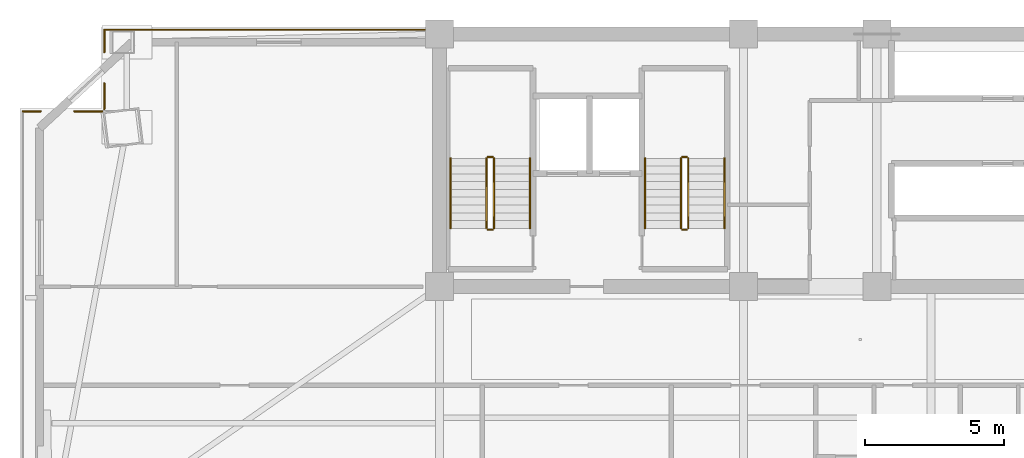
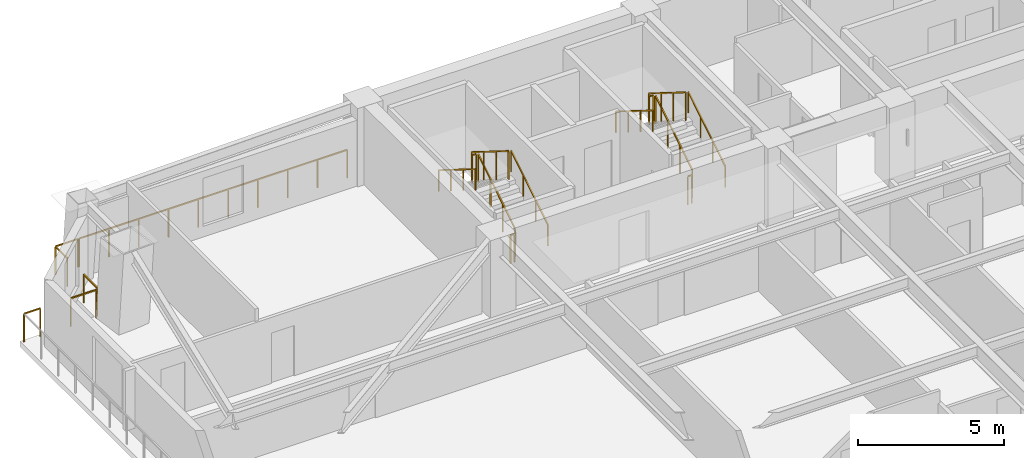
# One storey, part 14 of 15: 18 railings.
"""IFC4 building model written with IfcOpenShell, lengths in metres."""

from ifc_helpers import new_model, si_unit, direction, frame, origin, origin_2d, place, context, subcontext, project, spatial, rectangle, extrude, material, type_object, element, save


model = new_model("IFC4")

# Units and contexts
model_context = context("Model", 3, precision=1e-05, world=origin(), true_north=direction((0.0, 1.0)))
body_context = subcontext(model_context, "Body", "Model", "MODEL_VIEW")
ifc_project = project(units=[si_unit("LENGTHUNIT", "METRE"), si_unit("AREAUNIT", "SQUARE_METRE"), si_unit("VOLUMEUNIT", "CUBIC_METRE"), si_unit("PLANEANGLEUNIT", "RADIAN"), si_unit("MASSUNIT", "GRAM", prefix="KILO")], contexts=[model_context])

# Site, building, storey
site_placement = place(None, origin())
site = spatial("IfcSite", under=ifc_project, at=site_placement, CompositionType="ELEMENT")
building_placement = place(site_placement, origin())
building = spatial("IfcBuilding", under=site, at=building_placement, Name="Giltprow Tower", CompositionType="ELEMENT")
storey_placement = place(building_placement, frame((0.0, 0.0, 156.199951171875)))
storey = spatial("IfcBuildingStorey", under=building, at=storey_placement, Name="L38", CompositionType="ELEMENT", Elevation=156.199951171875)

# Railings
ifc_material = material(Name="Anodized bronze", Category="metal")
railing_type_1 = type_object("IfcRailingType", Name="RAIL-BALC-GUARD-1200", PredefinedType="BALUSTRADE", material=ifc_material)
railing_1_placement = place(storey_placement, frame((4.84912109375, 43.760986328125, 0.0)))
element("IfcRailing", 1, at=railing_1_placement, inside=storey, type_object=railing_type_1, Name="L38 Corner Apron Edge Balustrade 6", PredefinedType="BALUSTRADE", context=body_context, shape_type="SweptSolid", body=[
    extrude(rectangle(XDim=0.048095703125, YDim=0.048095703125, at=origin_2d()), frame((0.0, 0.0, 1.17578125), z_axis=(1.0, 0.0, 0.0), x_axis=(0.0, 1.0, 0.0)), (0.0, 0.0, 1.0), 0.644775390625),
    extrude(rectangle(XDim=0.0419921875, YDim=0.0419921875, at=origin_2d()), origin(), (0.0, 0.0, 1.0), 1.15185546875),
    extrude(rectangle(XDim=0.0419921875, YDim=0.0419921875, at=origin_2d()), frame((0.644775390625, 0.0, 0.0)), (0.0, 0.0, 1.0), 1.15185546875),
])
railing_2_placement = place(storey_placement, frame((6.700927734375, 43.760986328125, 0.0)))
element("IfcRailing", 2, at=railing_2_placement, inside=storey, type_object=railing_type_1, Name="L38 Corner Apron Edge Balustrade 7", PredefinedType="BALUSTRADE", context=body_context, shape_type="SweptSolid", body=[
    extrude(rectangle(XDim=0.048095703125, YDim=0.048095703125, at=origin_2d()), frame((0.0, 0.0, 1.17578125), z_axis=(1.0, 0.0, 0.0), x_axis=(0.0, 1.0, 0.0)), (0.0, 0.0, 1.0), 1.001953125),
    extrude(rectangle(XDim=0.0419921875, YDim=0.0419921875, at=origin_2d()), origin(), (0.0, 0.0, 1.0), 1.15185546875),
    extrude(rectangle(XDim=0.0419921875, YDim=0.0419921875, at=origin_2d()), frame((1.001953125, 0.0, 0.0)), (0.0, 0.0, 1.0), 1.15185546875),
])
railing_3_placement = place(storey_placement, frame((7.7880859375, 43.845947265625, 0.0)))
element("IfcRailing", 3, at=railing_3_placement, inside=storey, type_object=railing_type_1, Name="L38 Corner Apron Edge Balustrade 8", PredefinedType="BALUSTRADE", context=body_context, shape_type="SweptSolid", body=[
    extrude(rectangle(XDim=0.048095703125, YDim=0.048095703125, at=origin_2d()), frame((0.0, 0.0, 1.17578125), z_axis=(0.0, 1.0, 0.0), x_axis=(-1.0, 0.0, 0.0)), (0.0, 0.0, 1.0), 0.920166015625),
    extrude(rectangle(XDim=0.0419921875, YDim=0.0419921875, at=origin_2d()), origin(), (0.0, 0.0, 1.0), 1.15185546875),
    extrude(rectangle(XDim=0.0419921875, YDim=0.0419921875, at=origin_2d()), frame((0.0, 0.920166015625, 0.0)), (0.0, 0.0, 1.0), 1.15185546875),
])
railing_4_placement = place(storey_placement, frame((7.7880859375, 45.883056640625, 0.0)))
element("IfcRailing", 4, at=railing_4_placement, inside=storey, type_object=railing_type_1, Name="L38 Corner Apron Edge Balustrade 9", PredefinedType="BALUSTRADE", context=body_context, shape_type="SweptSolid", body=[
    extrude(rectangle(XDim=0.048095703125, YDim=0.048095703125, at=origin_2d()), frame((0.0, 0.0, 1.17578125), z_axis=(0.0, 1.0, 0.0), x_axis=(-1.0, 0.0, 0.0)), (0.0, 0.0, 1.0), 0.81689453125),
    extrude(rectangle(XDim=0.0419921875, YDim=0.0419921875, at=origin_2d()), origin(), (0.0, 0.0, 1.0), 1.15185546875),
    extrude(rectangle(XDim=0.0419921875, YDim=0.0419921875, at=origin_2d()), frame((0.0, 0.81689453125, 0.0)), (0.0, 0.0, 1.0), 1.15185546875),
])
railing_5_placement = place(storey_placement, frame((7.7880859375, 46.699951171875, 0.0)))
element("IfcRailing", 5, at=railing_5_placement, inside=storey, type_object=railing_type_1, Name="L38 Corner Apron Edge Balustrade 10", PredefinedType="BALUSTRADE", context=body_context, shape_type="SweptSolid", body=[
    extrude(rectangle(XDim=0.048095703125, YDim=0.048095703125, at=origin_2d()), frame((0.0, 0.0, 1.17578125), z_axis=(1.0, 0.0, 0.0), x_axis=(0.0, 1.0, 0.0)), (0.0, 0.0, 1.0), 0.8828125),
    extrude(rectangle(XDim=0.0419921875, YDim=0.0419921875, at=origin_2d()), origin(), (0.0, 0.0, 1.0), 1.15185546875),
    extrude(rectangle(XDim=0.0419921875, YDim=0.0419921875, at=origin_2d()), frame((0.8828125, 0.0, 0.0)), (0.0, 0.0, 1.0), 1.15185546875),
])
railing_6_placement = place(storey_placement, frame((8.72607421875, 46.699951171875, 0.0)))
element("IfcRailing", 6, at=railing_6_placement, inside=storey, type_object=railing_type_1, Name="L38 Corner Apron Edge Balustrade 11", PredefinedType="BALUSTRADE", context=body_context, shape_type="SweptSolid", body=[
    extrude(rectangle(XDim=0.048095703125, YDim=0.048095703125, at=origin_2d()), frame((0.0, 0.0, 1.17578125), z_axis=(1.0, 0.0, 0.0), x_axis=(0.0, 1.0, 0.0)), (0.0, 0.0, 1.0), 10.5888671875),
    extrude(rectangle(XDim=0.0419921875, YDim=0.0419921875, at=origin_2d()), origin(), (0.0, 0.0, 1.0), 1.15185546875),
    extrude(rectangle(XDim=0.0419921875, YDim=0.0419921875, at=origin_2d()), frame((1.176513671875, 0.0, 0.0)), (0.0, 0.0, 1.0), 1.15185546875),
    extrude(rectangle(XDim=0.0419921875, YDim=0.0419921875, at=origin_2d()), frame((2.35302734375, 0.0, 0.0)), (0.0, 0.0, 1.0), 1.15185546875),
    extrude(rectangle(XDim=0.0419921875, YDim=0.0419921875, at=origin_2d()), frame((3.529541015625, 0.0, 0.0)), (0.0, 0.0, 1.0), 1.15185546875),
    extrude(rectangle(XDim=0.0419921875, YDim=0.0419921875, at=origin_2d()), frame((4.7060546875, 0.0, 0.0)), (0.0, 0.0, 1.0), 1.15185546875),
    extrude(rectangle(XDim=0.0419921875, YDim=0.0419921875, at=origin_2d()), frame((5.8828125, 0.0, 0.0)), (0.0, 0.0, 1.0), 1.15185546875),
    extrude(rectangle(XDim=0.0419921875, YDim=0.0419921875, at=origin_2d()), frame((7.059326171875, 0.0, 0.0)), (0.0, 0.0, 1.0), 1.15185546875),
    extrude(rectangle(XDim=0.0419921875, YDim=0.0419921875, at=origin_2d()), frame((8.23583984375, 0.0, 0.0)), (0.0, 0.0, 1.0), 1.15185546875),
    extrude(rectangle(XDim=0.0419921875, YDim=0.0419921875, at=origin_2d()), frame((9.412353515625, 0.0, 0.0)), (0.0, 0.0, 1.0), 1.15185546875),
    extrude(rectangle(XDim=0.0419921875, YDim=0.0419921875, at=origin_2d()), frame((10.5888671875, 0.0, 0.0)), (0.0, 0.0, 1.0), 1.15185546875),
])
railing_type_2 = type_object("IfcRailingType", Name="RAIL-STAIR-GUARD-1200", PredefinedType="GUARDRAIL", material=ifc_material)
railing_7_placement = place(storey_placement, frame((21.81005859375, 39.550048828125, 0.175048828125)))
element("IfcRailing", 7, at=railing_7_placement, inside=storey, type_object=railing_type_2, Name="L38 ST-1 stair guard 1", PredefinedType="GUARDRAIL", context=body_context, shape_type="SweptSolid", body=[
    extrude(rectangle(XDim=0.048095703125, YDim=0.048095703125, at=origin_2d()), frame((0.0, 0.0, 1.17578125), z_axis=(0.0, 0.848007534815, 0.529984170421), x_axis=(-1.0, 0.0, 0.0)), (0.0, 0.0, 1.0), 2.9716796875),
    extrude(rectangle(XDim=0.0419921875, YDim=0.0419921875, at=origin_2d()), origin(), (0.0, 0.0, 1.0), 1.15185546875),
    extrude(rectangle(XDim=0.0419921875, YDim=0.0419921875, at=origin_2d()), frame((0.0, 0.840087890625, 0.52490234375)), (0.0, 0.0, 1.0), 1.15185546875),
    extrude(rectangle(XDim=0.0419921875, YDim=0.0419921875, at=origin_2d()), frame((0.0, 1.679931640625, 1.050048828125)), (0.0, 0.0, 1.0), 1.15185546875),
    extrude(rectangle(XDim=0.0419921875, YDim=0.0419921875, at=origin_2d()), frame((0.0, 2.52001953125, 1.574951171875)), (0.0, 0.0, 1.0), 1.15185546875),
])
railing_8_placement = place(storey_placement, frame((21.760009765625, 42.1201171875, 1.75)))
element("IfcRailing", 8, at=railing_8_placement, inside=storey, type_object=railing_type_2, Name="L38 ST-1 stair guard 2", PredefinedType="GUARDRAIL", context=body_context, shape_type="SweptSolid", body=[
    extrude(rectangle(XDim=0.048095703125, YDim=0.048095703125, at=origin_2d()), frame((0.0, 0.0, 1.17578125), z_axis=(-1.0, 0.0, 0.0), x_axis=(0.0, -1.0, 0.0)), (0.0, 0.0, 1.0), 0.159912109375),
    extrude(rectangle(XDim=0.0419921875, YDim=0.0419921875, at=origin_2d()), origin(), (0.0, 0.0, 1.0), 1.15185546875),
    extrude(rectangle(XDim=0.0419921875, YDim=0.0419921875, at=origin_2d()), frame((-0.159912109375, 0.0, 0.0)), (0.0, 0.0, 1.0), 1.15185546875),
])
railing_9_placement = place(storey_placement, frame((21.550048828125, 42.070068359375, 1.925048828125)))
element("IfcRailing", 9, at=railing_9_placement, inside=storey, type_object=railing_type_2, Name="L38 ST-1 stair guard 3", PredefinedType="GUARDRAIL", context=body_context, shape_type="SweptSolid", body=[
    extrude(rectangle(XDim=0.048095703125, YDim=0.048095703125, at=origin_2d()), frame((0.0, 0.0, 1.17578125), z_axis=(0.0, -0.848007534815, 0.529984170421), x_axis=(1.0, 0.0, 0.0)), (0.0, 0.0, 1.0), 2.9716796875),
    extrude(rectangle(XDim=0.0419921875, YDim=0.0419921875, at=origin_2d()), origin(), (0.0, 0.0, 1.0), 1.15185546875),
    extrude(rectangle(XDim=0.0419921875, YDim=0.0419921875, at=origin_2d()), frame((0.0, -0.840087890625, 0.52490234375)), (0.0, 0.0, 1.0), 1.15185546875),
    extrude(rectangle(XDim=0.0419921875, YDim=0.0419921875, at=origin_2d()), frame((0.0, -1.679931640625, 1.050048828125)), (0.0, 0.0, 1.0), 1.15185546875),
    extrude(rectangle(XDim=0.0419921875, YDim=0.0419921875, at=origin_2d()), frame((0.0, -2.52001953125, 1.574951171875)), (0.0, 0.0, 1.0), 1.15185546875),
])
railing_10_placement = place(storey_placement, frame((21.760009765625, 39.5, 0.0)))
element("IfcRailing", 10, at=railing_10_placement, inside=storey, type_object=railing_type_2, Name="L38 ST-1 stair guard 4", PredefinedType="GUARDRAIL", context=body_context, shape_type="SweptSolid", body=[
    extrude(rectangle(XDim=0.048095703125, YDim=0.048095703125, at=origin_2d()), frame((0.0, 0.0, 1.17578125), z_axis=(-1.0, 0.0, 0.0), x_axis=(0.0, -1.0, 0.0)), (0.0, 0.0, 1.0), 0.159912109375),
    extrude(rectangle(XDim=0.0419921875, YDim=0.0419921875, at=origin_2d()), origin(), (0.0, 0.0, 1.0), 1.15185546875),
    extrude(rectangle(XDim=0.0419921875, YDim=0.0419921875, at=origin_2d()), frame((-0.159912109375, 0.0, 0.0)), (0.0, 0.0, 1.0), 1.15185546875),
])
railing_11_placement = place(storey_placement, frame((28.81005859375, 39.550048828125, 0.175048828125)))
element("IfcRailing", 11, at=railing_11_placement, inside=storey, type_object=railing_type_2, Name="L38 ST-2 stair guard 1", PredefinedType="GUARDRAIL", context=body_context, shape_type="SweptSolid", body=[
    extrude(rectangle(XDim=0.048095703125, YDim=0.048095703125, at=origin_2d()), frame((0.0, 0.0, 1.17578125), z_axis=(0.0, 0.848007534815, 0.529984170421), x_axis=(-1.0, 0.0, 0.0)), (0.0, 0.0, 1.0), 2.9716796875),
    extrude(rectangle(XDim=0.0419921875, YDim=0.0419921875, at=origin_2d()), origin(), (0.0, 0.0, 1.0), 1.15185546875),
    extrude(rectangle(XDim=0.0419921875, YDim=0.0419921875, at=origin_2d()), frame((0.0, 0.840087890625, 0.52490234375)), (0.0, 0.0, 1.0), 1.15185546875),
    extrude(rectangle(XDim=0.0419921875, YDim=0.0419921875, at=origin_2d()), frame((0.0, 1.679931640625, 1.050048828125)), (0.0, 0.0, 1.0), 1.15185546875),
    extrude(rectangle(XDim=0.0419921875, YDim=0.0419921875, at=origin_2d()), frame((0.0, 2.52001953125, 1.574951171875)), (0.0, 0.0, 1.0), 1.15185546875),
])
railing_12_placement = place(storey_placement, frame((28.760009765625, 42.1201171875, 1.75)))
element("IfcRailing", 12, at=railing_12_placement, inside=storey, type_object=railing_type_2, Name="L38 ST-2 stair guard 2", PredefinedType="GUARDRAIL", context=body_context, shape_type="SweptSolid", body=[
    extrude(rectangle(XDim=0.048095703125, YDim=0.048095703125, at=origin_2d()), frame((0.0, 0.0, 1.17578125), z_axis=(-1.0, 0.0, 0.0), x_axis=(0.0, -1.0, 0.0)), (0.0, 0.0, 1.0), 0.159912109375),
    extrude(rectangle(XDim=0.0419921875, YDim=0.0419921875, at=origin_2d()), origin(), (0.0, 0.0, 1.0), 1.15185546875),
    extrude(rectangle(XDim=0.0419921875, YDim=0.0419921875, at=origin_2d()), frame((-0.159912109375, 0.0, 0.0)), (0.0, 0.0, 1.0), 1.15185546875),
])
railing_13_placement = place(storey_placement, frame((28.550048828125, 42.070068359375, 1.925048828125)))
element("IfcRailing", 13, at=railing_13_placement, inside=storey, type_object=railing_type_2, Name="L38 ST-2 stair guard 3", PredefinedType="GUARDRAIL", context=body_context, shape_type="SweptSolid", body=[
    extrude(rectangle(XDim=0.048095703125, YDim=0.048095703125, at=origin_2d()), frame((0.0, 0.0, 1.17578125), z_axis=(0.0, -0.848007534815, 0.529984170421), x_axis=(1.0, 0.0, 0.0)), (0.0, 0.0, 1.0), 2.9716796875),
    extrude(rectangle(XDim=0.0419921875, YDim=0.0419921875, at=origin_2d()), origin(), (0.0, 0.0, 1.0), 1.15185546875),
    extrude(rectangle(XDim=0.0419921875, YDim=0.0419921875, at=origin_2d()), frame((0.0, -0.840087890625, 0.52490234375)), (0.0, 0.0, 1.0), 1.15185546875),
    extrude(rectangle(XDim=0.0419921875, YDim=0.0419921875, at=origin_2d()), frame((0.0, -1.679931640625, 1.050048828125)), (0.0, 0.0, 1.0), 1.15185546875),
    extrude(rectangle(XDim=0.0419921875, YDim=0.0419921875, at=origin_2d()), frame((0.0, -2.52001953125, 1.574951171875)), (0.0, 0.0, 1.0), 1.15185546875),
])
railing_14_placement = place(storey_placement, frame((28.760009765625, 39.5, 0.0)))
element("IfcRailing", 14, at=railing_14_placement, inside=storey, type_object=railing_type_2, Name="L38 ST-2 stair guard 4", PredefinedType="GUARDRAIL", context=body_context, shape_type="SweptSolid", body=[
    extrude(rectangle(XDim=0.048095703125, YDim=0.048095703125, at=origin_2d()), frame((0.0, 0.0, 1.17578125), z_axis=(-1.0, 0.0, 0.0), x_axis=(0.0, -1.0, 0.0)), (0.0, 0.0, 1.0), 0.159912109375),
    extrude(rectangle(XDim=0.0419921875, YDim=0.0419921875, at=origin_2d()), origin(), (0.0, 0.0, 1.0), 1.15185546875),
    extrude(rectangle(XDim=0.0419921875, YDim=0.0419921875, at=origin_2d()), frame((-0.159912109375, 0.0, 0.0)), (0.0, 0.0, 1.0), 1.15185546875),
])
railing_type_3 = type_object("IfcRailingType", Name="RAIL-STAIR-HAND-900", PredefinedType="HANDRAIL", material=ifc_material)
railing_15_placement = place(storey_placement, frame((23.110107421875, 39.550048828125, 0.175048828125)))
element("IfcRailing", 15, at=railing_15_placement, inside=storey, type_object=railing_type_3, Name="L38 ST-1 stair handrail 1", PredefinedType="HANDRAIL", context=body_context, shape_type="SweptSolid", body=[
    extrude(rectangle(XDim=0.048095703125, YDim=0.048095703125, at=origin_2d()), frame((0.0, 0.0, 0.8759765625), z_axis=(0.0, 0.848007534815, 0.529984170421), x_axis=(-1.0, 0.0, 0.0)), (0.0, 0.0, 1.0), 2.9716796875),
    extrude(rectangle(XDim=0.0419921875, YDim=0.0419921875, at=origin_2d()), origin(), (0.0, 0.0, 1.0), 0.851806640625),
    extrude(rectangle(XDim=0.0419921875, YDim=0.0419921875, at=origin_2d()), frame((0.0, 0.840087890625, 0.52490234375)), (0.0, 0.0, 1.0), 0.851806640625),
    extrude(rectangle(XDim=0.0419921875, YDim=0.0419921875, at=origin_2d()), frame((0.0, 1.679931640625, 1.050048828125)), (0.0, 0.0, 1.0), 0.851806640625),
    extrude(rectangle(XDim=0.0419921875, YDim=0.0419921875, at=origin_2d()), frame((0.0, 2.52001953125, 1.574951171875)), (0.0, 0.0, 1.0), 0.851806640625),
])
railing_16_placement = place(storey_placement, frame((20.25, 42.070068359375, 1.925048828125)))
element("IfcRailing", 16, at=railing_16_placement, inside=storey, type_object=railing_type_3, Name="L38 ST-1 stair handrail 2", PredefinedType="HANDRAIL", context=body_context, shape_type="SweptSolid", body=[
    extrude(rectangle(XDim=0.048095703125, YDim=0.048095703125, at=origin_2d()), frame((0.0, 0.0, 0.8759765625), z_axis=(0.0, -0.848007534815, 0.529984170421), x_axis=(1.0, 0.0, 0.0)), (0.0, 0.0, 1.0), 2.9716796875),
    extrude(rectangle(XDim=0.0419921875, YDim=0.0419921875, at=origin_2d()), origin(), (0.0, 0.0, 1.0), 0.851806640625),
    extrude(rectangle(XDim=0.0419921875, YDim=0.0419921875, at=origin_2d()), frame((0.0, -0.840087890625, 0.52490234375)), (0.0, 0.0, 1.0), 0.851806640625),
    extrude(rectangle(XDim=0.0419921875, YDim=0.0419921875, at=origin_2d()), frame((0.0, -1.679931640625, 1.050048828125)), (0.0, 0.0, 1.0), 0.851806640625),
    extrude(rectangle(XDim=0.0419921875, YDim=0.0419921875, at=origin_2d()), frame((0.0, -2.52001953125, 1.574951171875)), (0.0, 0.0, 1.0), 0.851806640625),
])
railing_17_placement = place(storey_placement, frame((30.110107421875, 39.550048828125, 0.175048828125)))
element("IfcRailing", 17, at=railing_17_placement, inside=storey, type_object=railing_type_3, Name="L38 ST-2 stair handrail 1", PredefinedType="HANDRAIL", context=body_context, shape_type="SweptSolid", body=[
    extrude(rectangle(XDim=0.048095703125, YDim=0.048095703125, at=origin_2d()), frame((0.0, 0.0, 0.8759765625), z_axis=(0.0, 0.848007534815, 0.529984170421), x_axis=(-1.0, 0.0, 0.0)), (0.0, 0.0, 1.0), 2.9716796875),
    extrude(rectangle(XDim=0.0419921875, YDim=0.0419921875, at=origin_2d()), origin(), (0.0, 0.0, 1.0), 0.851806640625),
    extrude(rectangle(XDim=0.0419921875, YDim=0.0419921875, at=origin_2d()), frame((0.0, 0.840087890625, 0.52490234375)), (0.0, 0.0, 1.0), 0.851806640625),
    extrude(rectangle(XDim=0.0419921875, YDim=0.0419921875, at=origin_2d()), frame((0.0, 1.679931640625, 1.050048828125)), (0.0, 0.0, 1.0), 0.851806640625),
    extrude(rectangle(XDim=0.0419921875, YDim=0.0419921875, at=origin_2d()), frame((0.0, 2.52001953125, 1.574951171875)), (0.0, 0.0, 1.0), 0.851806640625),
])
railing_18_placement = place(storey_placement, frame((27.25, 42.070068359375, 1.925048828125)))
element("IfcRailing", 18, at=railing_18_placement, inside=storey, type_object=railing_type_3, Name="L38 ST-2 stair handrail 2", PredefinedType="HANDRAIL", context=body_context, shape_type="SweptSolid", body=[
    extrude(rectangle(XDim=0.048095703125, YDim=0.048095703125, at=origin_2d()), frame((0.0, 0.0, 0.8759765625), z_axis=(0.0, -0.848007534815, 0.529984170421), x_axis=(1.0, 0.0, 0.0)), (0.0, 0.0, 1.0), 2.9716796875),
    extrude(rectangle(XDim=0.0419921875, YDim=0.0419921875, at=origin_2d()), origin(), (0.0, 0.0, 1.0), 0.851806640625),
    extrude(rectangle(XDim=0.0419921875, YDim=0.0419921875, at=origin_2d()), frame((0.0, -0.840087890625, 0.52490234375)), (0.0, 0.0, 1.0), 0.851806640625),
    extrude(rectangle(XDim=0.0419921875, YDim=0.0419921875, at=origin_2d()), frame((0.0, -1.679931640625, 1.050048828125)), (0.0, 0.0, 1.0), 0.851806640625),
    extrude(rectangle(XDim=0.0419921875, YDim=0.0419921875, at=origin_2d()), frame((0.0, -2.52001953125, 1.574951171875)), (0.0, 0.0, 1.0), 0.851806640625),
])

save(model, "model.ifc")
